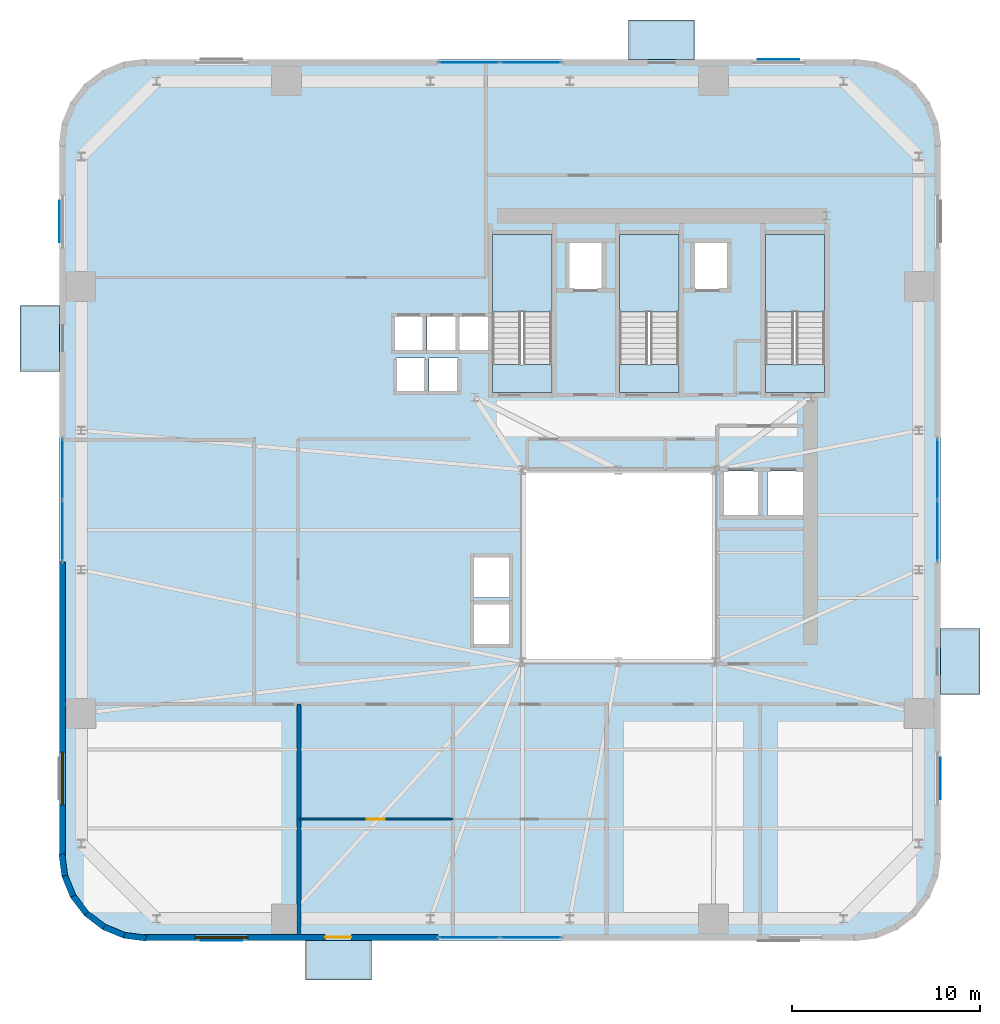
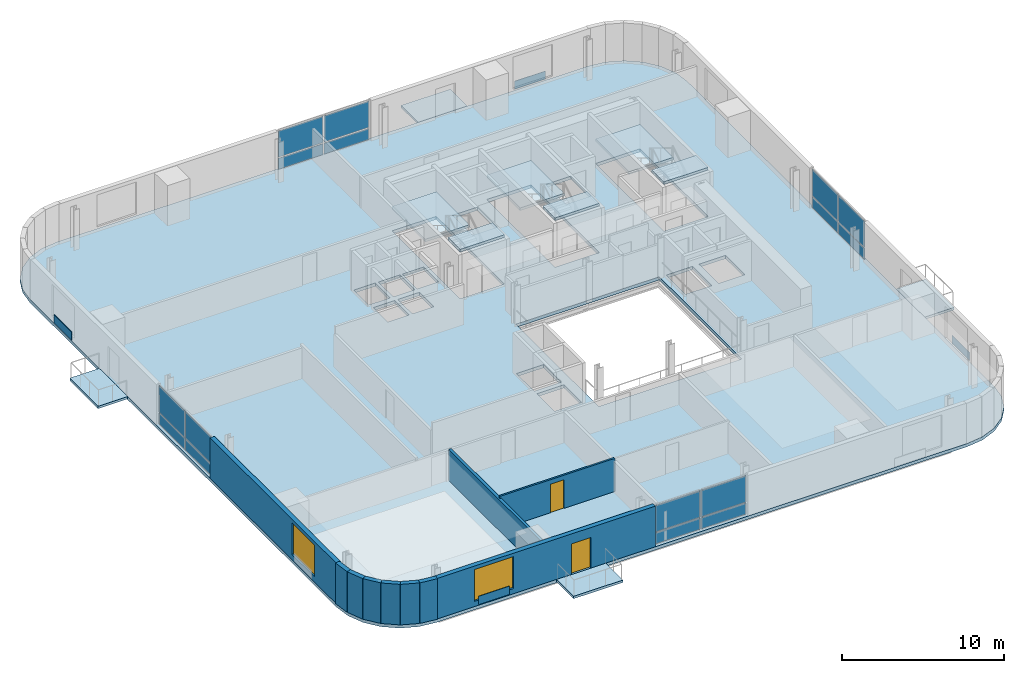
# One storey, part 5 of 14: 20 plates, 11 slabs, 10 walls, 2 doors, 2 windows, 4 openings, 7 elements without a shape of their own.
"""IFC4 building model written with IfcOpenShell, lengths in metres."""

from ifc_helpers import new_model, si_unit, direction, frame, frame_2d, origin, origin_2d, place, context, subcontext, project, spatial, polyline, rectangle, outline, extrude, source, transform, mapped, material, layer, layer_set, type_object, element, fill, aggregate, save


model = new_model("IFC4")

# Units and contexts
model_context = context("Model", 3, precision=1e-05, world=origin(), true_north=direction((0.0, 1.0)))
body_context = subcontext(model_context, "Body", "Model", "MODEL_VIEW")
ifc_project = project(units=[si_unit("LENGTHUNIT", "METRE"), si_unit("AREAUNIT", "SQUARE_METRE"), si_unit("VOLUMEUNIT", "CUBIC_METRE"), si_unit("PLANEANGLEUNIT", "RADIAN"), si_unit("MASSUNIT", "GRAM", prefix="KILO")], contexts=[model_context])

# Site, building, storey
site_placement = place(None, origin())
site = spatial("IfcSite", under=ifc_project, at=site_placement, CompositionType="ELEMENT")
building_placement = place(site_placement, origin())
building = spatial("IfcBuilding", under=site, at=building_placement, Name="Vardaveli Station Tower", CompositionType="ELEMENT")
storey_placement = place(building_placement, frame((0.0, 0.0, 163.10009765625)))
storey = spatial("IfcBuildingStorey", under=building, at=storey_placement, Name="L42", CompositionType="ELEMENT", Elevation=163.10009765625)

# Stair, slabs
ifc_material_1 = material(Name="Concrete C40/50", Category="concrete")
stair_type = type_object("IfcStairType", Name="STR-CORE-1500", PredefinedType="HALF_TURN_STAIR", material=ifc_material_1)
stair_1_placement = place(storey_placement, origin())
stair_1 = element("IfcStair", 1, at=stair_1_placement, inside=storey, type_object=stair_type, Name="L42 ST-1", PredefinedType="HALF_TURN_STAIR")
ifc_layer_1 = layer(ifc_material_1, 0.199951171875, Name="Concrete C40/50")
ifc_layer_set_1 = layer_set([ifc_layer_1], Name="Concrete C40/50")
slab_type_1 = type_object("IfcSlabType", Name="SLB-LAND-200", PredefinedType="LANDING", material=ifc_layer_set_1)
slab_1_placement = place(storey_placement, frame((0.0, 0.0, 1.64990234375)))
slab_1 = element("IfcSlab", 2, at=slab_1_placement, type_object=slab_type_1, Name="ST-1 landing 1", PredefinedType="LANDING", context=body_context, shape_type="SweptSolid", body=[
    extrude(outline(polyline([(32.75, 35.199951171875), (32.75, 39.300048828125), (29.60009765625, 39.300048828125), (29.60009765625, 35.199951171875), (32.75, 35.199951171875)])), origin(), (0.0, 0.0, 1.0), 0.199951171875),
])
slab_2_placement = place(storey_placement, frame((0.0, 0.0, 3.5)))
slab_2 = element("IfcSlab", 3, at=slab_2_placement, type_object=slab_type_1, Name="ST-1 landing 2", PredefinedType="LANDING", context=body_context, shape_type="SweptSolid", body=[
    extrude(outline(polyline([(32.75, 30.89990234375), (32.75, 32.39990234375), (29.60009765625, 32.39990234375), (29.60009765625, 30.89990234375), (32.75, 30.89990234375)])), origin(), (0.0, 0.0, 1.0), 0.199951171875),
])
aggregate(stair_1, [slab_1, slab_2])

stair_2_placement = place(storey_placement, origin())
stair_2 = element("IfcStair", 4, at=stair_2_placement, inside=storey, type_object=stair_type, Name="L42 ST-2", PredefinedType="HALF_TURN_STAIR")
slab_3_placement = place(storey_placement, frame((0.0, 0.0, 1.64990234375)))
slab_3 = element("IfcSlab", 5, at=slab_3_placement, type_object=slab_type_1, Name="ST-2 landing 1", PredefinedType="LANDING", context=body_context, shape_type="SweptSolid", body=[
    extrude(outline(polyline([(39.5, 35.199951171875), (39.5, 39.300048828125), (36.35009765625, 39.300048828125), (36.35009765625, 35.199951171875), (39.5, 35.199951171875)])), origin(), (0.0, 0.0, 1.0), 0.199951171875),
])
slab_4_placement = place(storey_placement, frame((0.0, 0.0, 3.5)))
slab_4 = element("IfcSlab", 6, at=slab_4_placement, type_object=slab_type_1, Name="ST-2 landing 2", PredefinedType="LANDING", context=body_context, shape_type="SweptSolid", body=[
    extrude(outline(polyline([(39.5, 30.89990234375), (39.5, 32.39990234375), (36.35009765625, 32.39990234375), (36.35009765625, 30.89990234375), (39.5, 30.89990234375)])), origin(), (0.0, 0.0, 1.0), 0.199951171875),
])
aggregate(stair_2, [slab_3, slab_4])

stair_3_placement = place(storey_placement, origin())
stair_3 = element("IfcStair", 7, at=stair_3_placement, inside=storey, type_object=stair_type, Name="L42 ST-3", PredefinedType="HALF_TURN_STAIR")
slab_5_placement = place(storey_placement, frame((0.0, 0.0, 1.64990234375)))
slab_5 = element("IfcSlab", 8, at=slab_5_placement, type_object=slab_type_1, Name="ST-3 landing 1", PredefinedType="LANDING", context=body_context, shape_type="SweptSolid", body=[
    extrude(outline(polyline([(47.25, 35.199951171875), (47.25, 39.300048828125), (44.10009765625, 39.300048828125), (44.10009765625, 35.199951171875), (47.25, 35.199951171875)])), origin(), (0.0, 0.0, 1.0), 0.199951171875),
])
slab_6_placement = place(storey_placement, frame((0.0, 0.0, 3.5)))
slab_6 = element("IfcSlab", 9, at=slab_6_placement, type_object=slab_type_1, Name="ST-3 landing 2", PredefinedType="LANDING", context=body_context, shape_type="SweptSolid", body=[
    extrude(outline(polyline([(47.25, 30.89990234375), (47.25, 32.39990234375), (44.10009765625, 32.39990234375), (44.10009765625, 30.89990234375), (47.25, 30.89990234375)])), origin(), (0.0, 0.0, 1.0), 0.199951171875),
])
aggregate(stair_3, [slab_5, slab_6])

# Slabs
ifc_material_2 = material(Name="Precast concrete C45/55", Category="concrete")
ifc_layer_2 = layer(ifc_material_2, 0.179931640625, Name="Precast concrete C45/55")
ifc_layer_set_2 = layer_set([ifc_layer_2], Name="Precast concrete C45/55")
slab_type_2 = type_object("IfcSlabType", Name="SLB-LOGGIA-180", PredefinedType="FLOOR", material=ifc_layer_set_2)
slab_7_placement = place(storey_placement, frame((0.0, 0.0, -0.18017578125)))
element("IfcSlab", 10, at=slab_7_placement, inside=storey, type_object=slab_type_2, Name="LOG-L42-S", PredefinedType="FLOOR", context=body_context, shape_type="SweptSolid", body=[
    extrude(outline(polyline([(19.660400390625, -0.300048828125), (23.160400390625, -0.300048828125), (23.160400390625, 1.800048828125), (19.660400390625, 1.800048828125), (19.660400390625, -0.300048828125)])), origin(), (0.0, 0.0, 1.0), 0.18017578125),
])
slab_8_placement = place(storey_placement, frame((0.0, 0.0, -0.18017578125)))
element("IfcSlab", 11, at=slab_8_placement, inside=storey, type_object=slab_type_2, Name="LOG-L42-N", PredefinedType="FLOOR", context=body_context, shape_type="SweptSolid", body=[
    extrude(outline(polyline([(36.839599609375, 48.60009765625), (40.339599609375, 48.60009765625), (40.339599609375, 50.699951171875), (36.839599609375, 50.699951171875), (36.839599609375, 48.60009765625)])), origin(), (0.0, 0.0, 1.0), 0.18017578125),
])
slab_9_placement = place(storey_placement, frame((0.0, 0.0, -0.18017578125)))
element("IfcSlab", 12, at=slab_9_placement, inside=storey, type_object=slab_type_2, Name="LOG-L42-W", PredefinedType="FLOOR", context=body_context, shape_type="SweptSolid", body=[
    extrude(outline(polyline([(4.5, 32.03955078125), (6.60009765625, 32.03955078125), (6.60009765625, 35.53955078125), (4.5, 35.53955078125), (4.5, 32.03955078125)])), origin(), (0.0, 0.0, 1.0), 0.18017578125),
])
slab_10_placement = place(storey_placement, frame((0.0, 0.0, -0.18017578125)))
element("IfcSlab", 13, at=slab_10_placement, inside=storey, type_object=slab_type_2, Name="LOG-L42-E", PredefinedType="FLOOR", context=body_context, shape_type="SweptSolid", body=[
    extrude(outline(polyline([(53.39990234375, 14.8603515625), (55.5, 14.8603515625), (55.5, 18.3603515625), (53.39990234375, 18.3603515625), (53.39990234375, 14.8603515625)])), origin(), (0.0, 0.0, 1.0), 0.18017578125),
])
ifc_layer_3 = layer(ifc_material_1, 0.239990234375, Name="Concrete C40/50")
ifc_layer_set_3 = layer_set([ifc_layer_3], Name="Concrete C40/50")
slab_type_3 = type_object("IfcSlabType", Name="SLB-TOW-240", PredefinedType="FLOOR", material=ifc_layer_set_3)
slab_11_placement = place(storey_placement, frame((0.0, 0.0, -0.239990234375)))
element("IfcSlab", 14, at=slab_11_placement, inside=storey, type_object=slab_type_3, Name="SLB-L42-MAIN", PredefinedType="FLOOR", context=body_context, shape_type="SweptSolid", body=[
    extrude(outline(polyline([(6.60009765625, 6.300048828125), (6.75341796875, 5.13525390625), (7.202880859375, 4.050048828125), (7.91796875, 3.117919921875), (8.85009765625, 2.40283203125), (9.935302734375, 1.953369140625), (11.10009765625, 1.800048828125), (48.89990234375, 1.800048828125), (50.064697265625, 1.953369140625), (51.14990234375, 2.40283203125), (52.08203125, 3.117919921875), (52.797119140625, 4.050048828125), (53.24658203125, 5.13525390625), (53.39990234375, 6.300048828125), (53.39990234375, 44.10009765625), (53.24658203125, 45.2646484375), (52.797119140625, 46.35009765625), (52.08203125, 47.281982421875), (51.14990234375, 47.9970703125), (50.064697265625, 48.44677734375), (48.89990234375, 48.60009765625), (11.10009765625, 48.60009765625), (9.935302734375, 48.44677734375), (8.85009765625, 47.9970703125), (7.91796875, 47.281982421875), (7.202880859375, 46.35009765625), (6.75341796875, 45.2646484375), (6.60009765625, 44.10009765625), (6.60009765625, 6.300048828125)]), holes=[polyline([(31.199951171875, 16.60009765625), (41.39990234375, 16.60009765625), (41.39990234375, 26.800048828125), (31.199951171875, 26.800048828125), (31.199951171875, 16.60009765625)]), polyline([(32.75, 30.89990234375), (32.75, 39.300048828125), (29.60009765625, 39.300048828125), (29.60009765625, 30.89990234375), (32.75, 30.89990234375)]), polyline([(39.5, 30.89990234375), (39.5, 39.300048828125), (36.35009765625, 39.300048828125), (36.35009765625, 30.89990234375), (39.5, 30.89990234375)]), polyline([(47.25, 30.89990234375), (47.25, 39.300048828125), (44.10009765625, 39.300048828125), (44.10009765625, 30.89990234375), (47.25, 30.89990234375)]), polyline([(24.385009765625, 33.135009765625), (25.9150390625, 33.135009765625), (25.9150390625, 34.965087890625), (24.385009765625, 34.965087890625), (24.385009765625, 33.135009765625)]), polyline([(26.135009765625, 33.135009765625), (27.6650390625, 33.135009765625), (27.6650390625, 34.965087890625), (26.135009765625, 34.965087890625), (26.135009765625, 33.135009765625)]), polyline([(27.8349609375, 33.135009765625), (29.364990234375, 33.135009765625), (29.364990234375, 34.965087890625), (27.8349609375, 34.965087890625), (27.8349609375, 33.135009765625)]), polyline([(33.659912109375, 36.409912109375), (35.43994140625, 36.409912109375), (35.43994140625, 38.889892578125), (33.659912109375, 38.889892578125), (33.659912109375, 36.409912109375)]), polyline([(40.31005859375, 36.409912109375), (42.090087890625, 36.409912109375), (42.090087890625, 38.889892578125), (40.31005859375, 38.889892578125), (40.31005859375, 36.409912109375)]), polyline([(24.485107421875, 30.9599609375), (26.014892578125, 30.9599609375), (26.014892578125, 32.739990234375), (24.485107421875, 32.739990234375), (24.485107421875, 30.9599609375)]), polyline([(26.235107421875, 30.9599609375), (27.764892578125, 30.9599609375), (27.764892578125, 32.739990234375), (26.235107421875, 32.739990234375), (26.235107421875, 30.9599609375)]), polyline([(28.5849609375, 17.510009765625), (30.514892578125, 17.510009765625), (30.514892578125, 19.68994140625), (28.5849609375, 19.68994140625), (28.5849609375, 17.510009765625)]), polyline([(28.5849609375, 20.010009765625), (30.514892578125, 20.010009765625), (30.514892578125, 22.18994140625), (28.5849609375, 22.18994140625), (28.5849609375, 20.010009765625)]), polyline([(41.860107421875, 24.360107421875), (43.739990234375, 24.360107421875), (43.739990234375, 26.739990234375), (41.860107421875, 26.739990234375), (41.860107421875, 24.360107421875)]), polyline([(44.2099609375, 24.360107421875), (46.090087890625, 24.360107421875), (46.090087890625, 26.739990234375), (44.2099609375, 26.739990234375), (44.2099609375, 24.360107421875)])]), origin(), (0.0, 0.0, 1.0), 0.239990234375),
])

# Curtain wall, plates
ifc_material_3 = material(Name="Travertine stone and solar-control glass", Category="masonry")
curtain_wall_type = type_object("IfcCurtainWallType", Name="CW-SYS-2", PredefinedType="NOTDEFINED", material=ifc_material_3)
curtain_wall_1_placement = place(storey_placement, origin())
curtain_wall_1 = element("IfcCurtainWall", 15, at=curtain_wall_1_placement, inside=storey, type_object=curtain_wall_type, Name="CW-L42-S", PredefinedType="NOTDEFINED")
ifc_material_4 = material(Name="Double-glazed low-E solar-control glass", Category="glass")
ifc_layer_4 = layer(ifc_material_4, 0.035888671875, Name="Double-glazed low-E solar-control glass")
ifc_layer_set_4 = layer_set([ifc_layer_4], Name="Double-glazed low-E solar-control glass")
plate_type_1 = type_object("IfcPlateType", Name="CW-SYS-2-PAN", PredefinedType="CURTAIN_PANEL", material=ifc_layer_set_4)
shared_shape_1 = source(origin(), body_context, "Body", "SweptSolid", [
    extrude(rectangle(XDim=3.172607421875, YDim=0.035888671875, at=origin_2d()), origin(), (0.0, 0.0, 1.0), 0.822509765625),
])
plate_1_placement = place(storey_placement, frame((28.371337890625, 1.9599609375, 0.0849609375), z_axis=(0.0, 0.0, 1.0), x_axis=(1.0, 0.0, 0.0)))
plate_1 = element("IfcPlate", 16, at=plate_1_placement, type_object=plate_type_1, Name="CW-2 panel 1.1", PredefinedType="CURTAIN_PANEL", context=body_context, shape_type="MappedRepresentation", body=[
    mapped(shared_shape_1, transform((0.0, 0.0, 0.0), scale=1.0)),
])
plate_2_placement = place(storey_placement, frame((31.628662109375, 1.9599609375, 0.0849609375), z_axis=(0.0, 0.0, 1.0), x_axis=(1.0, 0.0, 0.0)))
plate_2 = element("IfcPlate", 17, at=plate_2_placement, type_object=plate_type_1, Name="CW-2 panel 2.1", PredefinedType="CURTAIN_PANEL", context=body_context, shape_type="MappedRepresentation", body=[
    mapped(shared_shape_1, transform((0.0, 0.0, 0.0), scale=1.0)),
])

curtain_wall_2_placement = place(storey_placement, origin())
curtain_wall_2 = element("IfcCurtainWall", 18, at=curtain_wall_2_placement, inside=storey, type_object=curtain_wall_type, Name="CW-L42-N", PredefinedType="NOTDEFINED")
plate_3_placement = place(storey_placement, frame((31.628662109375, 48.43994140625, 0.0849609375), z_axis=(0.0, 0.0, 1.0), x_axis=(-1.0, 0.0, 0.0)))
plate_3 = element("IfcPlate", 19, at=plate_3_placement, type_object=plate_type_1, Name="CW-2 panel 1.1", PredefinedType="CURTAIN_PANEL", context=body_context, shape_type="MappedRepresentation", body=[
    mapped(shared_shape_1, transform((0.0, 0.0, 0.0), scale=1.0)),
])
plate_4_placement = place(storey_placement, frame((28.371337890625, 48.43994140625, 0.0849609375), z_axis=(0.0, 0.0, 1.0), x_axis=(-1.0, 0.0, 0.0)))
plate_4 = element("IfcPlate", 20, at=plate_4_placement, type_object=plate_type_1, Name="CW-2 panel 2.1", PredefinedType="CURTAIN_PANEL", context=body_context, shape_type="MappedRepresentation", body=[
    mapped(shared_shape_1, transform((0.0, 0.0, 0.0), scale=1.0)),
])

curtain_wall_3_placement = place(storey_placement, origin())
curtain_wall_3 = element("IfcCurtainWall", 21, at=curtain_wall_3_placement, inside=storey, type_object=curtain_wall_type, Name="CW-L42-W", PredefinedType="NOTDEFINED")
plate_5_placement = place(storey_placement, frame((6.760009765625, 26.828857421875, 0.0849609375), z_axis=(0.0, 0.0, 1.0), x_axis=(0.0, -1.0, 0.0)))
plate_5 = element("IfcPlate", 22, at=plate_5_placement, type_object=plate_type_1, Name="CW-2 panel 1.1", PredefinedType="CURTAIN_PANEL", context=body_context, shape_type="MappedRepresentation", body=[
    mapped(shared_shape_1, transform((0.0, 0.0, 0.0), scale=1.0)),
])
plate_6_placement = place(storey_placement, frame((6.760009765625, 23.5712890625, 0.0849609375), z_axis=(0.0, 0.0, 1.0), x_axis=(0.0, -1.0, 0.0)))
plate_6 = element("IfcPlate", 23, at=plate_6_placement, type_object=plate_type_1, Name="CW-2 panel 2.1", PredefinedType="CURTAIN_PANEL", context=body_context, shape_type="MappedRepresentation", body=[
    mapped(shared_shape_1, transform((0.0, 0.0, 0.0), scale=1.0)),
])

curtain_wall_4_placement = place(storey_placement, origin())
curtain_wall_4 = element("IfcCurtainWall", 24, at=curtain_wall_4_placement, inside=storey, type_object=curtain_wall_type, Name="CW-L42-E", PredefinedType="NOTDEFINED")
plate_7_placement = place(storey_placement, frame((53.239990234375, 23.5712890625, 0.0849609375), z_axis=(0.0, 0.0, 1.0), x_axis=(0.0, 1.0, 0.0)))
plate_7 = element("IfcPlate", 25, at=plate_7_placement, type_object=plate_type_1, Name="CW-2 panel 1.1", PredefinedType="CURTAIN_PANEL", context=body_context, shape_type="MappedRepresentation", body=[
    mapped(shared_shape_1, transform((0.0, 0.0, 0.0), scale=1.0)),
])
plate_8_placement = place(storey_placement, frame((53.239990234375, 26.828857421875, 0.0849609375), z_axis=(0.0, 0.0, 1.0), x_axis=(0.0, 1.0, 0.0)))
plate_8 = element("IfcPlate", 26, at=plate_8_placement, type_object=plate_type_1, Name="CW-2 panel 2.1", PredefinedType="CURTAIN_PANEL", context=body_context, shape_type="MappedRepresentation", body=[
    mapped(shared_shape_1, transform((0.0, 0.0, 0.0), scale=1.0)),
])

# Plates
ifc_material_5 = material(Name="Honed Caucasian travertine stone", Category="masonry")
ifc_layer_5 = layer(ifc_material_5, 0.034912109375, Name="Honed Caucasian travertine stone")
ifc_layer_set_5 = layer_set([ifc_layer_5], Name="Honed Caucasian travertine stone")
plate_type_2 = type_object("IfcPlateType", Name="PLT-TRAV-35", PredefinedType="SHEET", material=ifc_layer_set_5)
shared_shape_2 = source(origin(), body_context, "Body", "SweptSolid", [
    extrude(rectangle(XDim=2.199951171875, YDim=0.034912109375, at=origin_2d()), origin(), (0.0, 0.0, 1.0), 0.6201171875),
])
for number, where, z_axis, x_axis, name in (
    (27, (15.205078125, 1.79052734375, 0.06982421875), (0.0, 0.0, 1.0), (1.0, 0.0, 0.0), "PLT-TR-L42-S"),
    (28, (44.794921875, 48.609619140625, 0.06982421875), (0.0, 0.0, 1.0), (1.0, 0.0, 0.0), "PLT-TR-L42-N"),
    (29, (6.590576171875, 39.9951171875, 0.06982421875), (0.0, 0.0, 1.0), (0.0, 1.0, 0.0), "PLT-TR-L42-W"),
    (30, (53.409423828125, 10.405029296875, 0.06982421875), (0.0, 0.0, 1.0), (0.0, 1.0, 0.0), "PLT-TR-L42-E"),
):
    element("IfcPlate", number, at=place(storey_placement, frame(where, z_axis=z_axis, x_axis=x_axis)), inside=storey, type_object=plate_type_2, Name=name, PredefinedType="SHEET", context=body_context, shape_type="MappedRepresentation", body=[
        mapped(shared_shape_2, transform((0.0, 0.0, 0.0), scale=1.0)),
    ])

# Plate
shared_shape_3 = source(origin(), body_context, "Body", "SweptSolid", [
    extrude(rectangle(XDim=3.172607421875, YDim=0.035888671875, at=origin_2d()), origin(), (0.0, 0.0, 1.0), 1.972412109375),
])
plate_9_placement = place(storey_placement, frame((28.371337890625, 1.9599609375, 0.99267578125), z_axis=(0.0, 0.0, 1.0), x_axis=(1.0, 0.0, 0.0)))
plate_9 = element("IfcPlate", 31, at=plate_9_placement, type_object=plate_type_1, Name="CW-2 panel 1.2", PredefinedType="CURTAIN_PANEL", context=body_context, shape_type="MappedRepresentation", body=[
    mapped(shared_shape_3, transform((0.0, 0.0, 0.0), scale=1.0)),
])

plate_10_placement = place(storey_placement, frame((31.628662109375, 1.9599609375, 0.99267578125), z_axis=(0.0, 0.0, 1.0), x_axis=(1.0, 0.0, 0.0)))
plate_10 = element("IfcPlate", 32, at=plate_10_placement, type_object=plate_type_1, Name="CW-2 panel 2.2", PredefinedType="CURTAIN_PANEL", context=body_context, shape_type="MappedRepresentation", body=[
    mapped(shared_shape_3, transform((0.0, 0.0, 0.0), scale=1.0)),
])

aggregate(curtain_wall_1, [plate_1, plate_9, plate_2, plate_10])

plate_11_placement = place(storey_placement, frame((31.628662109375, 48.43994140625, 0.99267578125), z_axis=(0.0, 0.0, 1.0), x_axis=(-1.0, 0.0, 0.0)))
plate_11 = element("IfcPlate", 33, at=plate_11_placement, type_object=plate_type_1, Name="CW-2 panel 1.2", PredefinedType="CURTAIN_PANEL", context=body_context, shape_type="MappedRepresentation", body=[
    mapped(shared_shape_3, transform((0.0, 0.0, 0.0), scale=1.0)),
])

plate_12_placement = place(storey_placement, frame((28.371337890625, 48.43994140625, 0.99267578125), z_axis=(0.0, 0.0, 1.0), x_axis=(-1.0, 0.0, 0.0)))
plate_12 = element("IfcPlate", 34, at=plate_12_placement, type_object=plate_type_1, Name="CW-2 panel 2.2", PredefinedType="CURTAIN_PANEL", context=body_context, shape_type="MappedRepresentation", body=[
    mapped(shared_shape_3, transform((0.0, 0.0, 0.0), scale=1.0)),
])

aggregate(curtain_wall_2, [plate_3, plate_11, plate_4, plate_12])

plate_13_placement = place(storey_placement, frame((6.760009765625, 26.828857421875, 0.99267578125), z_axis=(0.0, 0.0, 1.0), x_axis=(0.0, -1.0, 0.0)))
plate_13 = element("IfcPlate", 35, at=plate_13_placement, type_object=plate_type_1, Name="CW-2 panel 1.2", PredefinedType="CURTAIN_PANEL", context=body_context, shape_type="MappedRepresentation", body=[
    mapped(shared_shape_3, transform((0.0, 0.0, 0.0), scale=1.0)),
])

plate_14_placement = place(storey_placement, frame((6.760009765625, 23.5712890625, 0.99267578125), z_axis=(0.0, 0.0, 1.0), x_axis=(0.0, -1.0, 0.0)))
plate_14 = element("IfcPlate", 36, at=plate_14_placement, type_object=plate_type_1, Name="CW-2 panel 2.2", PredefinedType="CURTAIN_PANEL", context=body_context, shape_type="MappedRepresentation", body=[
    mapped(shared_shape_3, transform((0.0, 0.0, 0.0), scale=1.0)),
])

aggregate(curtain_wall_3, [plate_5, plate_13, plate_6, plate_14])

plate_15_placement = place(storey_placement, frame((53.239990234375, 23.5712890625, 0.99267578125), z_axis=(0.0, 0.0, 1.0), x_axis=(0.0, 1.0, 0.0)))
plate_15 = element("IfcPlate", 37, at=plate_15_placement, type_object=plate_type_1, Name="CW-2 panel 1.2", PredefinedType="CURTAIN_PANEL", context=body_context, shape_type="MappedRepresentation", body=[
    mapped(shared_shape_3, transform((0.0, 0.0, 0.0), scale=1.0)),
])

plate_16_placement = place(storey_placement, frame((53.239990234375, 26.828857421875, 0.99267578125), z_axis=(0.0, 0.0, 1.0), x_axis=(0.0, 1.0, 0.0)))
plate_16 = element("IfcPlate", 38, at=plate_16_placement, type_object=plate_type_1, Name="CW-2 panel 2.2", PredefinedType="CURTAIN_PANEL", context=body_context, shape_type="MappedRepresentation", body=[
    mapped(shared_shape_3, transform((0.0, 0.0, 0.0), scale=1.0)),
])

aggregate(curtain_wall_4, [plate_7, plate_15, plate_8, plate_16])

# Wall, openings, door, window
ifc_layer_6 = layer(ifc_material_2, 0.320068359375, Name="Precast concrete C45/55")
ifc_layer_set_6 = layer_set([ifc_layer_6], Name="Precast concrete C45/55")
wall_type_1 = type_object("IfcWallType", Name="WAL-EXT-STONE-320", PredefinedType="SOLIDWALL", material=ifc_layer_set_6)
shared_shape_4 = source(origin(), body_context, "Body", "SweptSolid", [
    extrude(rectangle(XDim=15.599853515625, YDim=0.320068359375, at=frame_2d((7.7998046875, 0.0))), origin(), (0.0, 0.0, 1.0), 3.0498046875),
])
wall_1_placement = place(storey_placement, frame((11.10009765625, 1.9599609375, 0.0), z_axis=(0.0, 0.0, 1.0), x_axis=(1.0, 0.0, 0.0)))
wall_1 = element("IfcWall", 39, at=wall_1_placement, inside=storey, type_object=wall_type_1, Name="EW-L42-S1", PredefinedType="SOLIDWALL", context=body_context, shape_type="MappedRepresentation", body=[
    mapped(shared_shape_4, transform((0.0, 0.0, 0.0), scale=1.0)),
])
shared_shape_5 = source(origin(), body_context, "Body", "SweptSolid", [
    extrude(rectangle(XDim=1.39990234375, YDim=2.300048828125, at=frame_2d((0.699951171875, 1.14990234375))), frame((0.0, 0.169921875, 0.0), z_axis=(0.0, -1.0, 0.0), x_axis=(1.0, 0.0, 0.0)), (0.0, 0.0, 1.0), 0.340087890625),
])
opening_1_placement = place(wall_1_placement, frame((9.6103515625, 0.0, 0.0)))
opening_1 = element("IfcOpeningElement", 40, at=opening_1_placement, cuts=wall_1, Name="Opening D-09", PredefinedType="OPENING", context=body_context, shape_type="MappedRepresentation", body=[
    mapped(shared_shape_5, transform((0.0, 0.0, 0.0), scale=1.0)),
])
shared_shape_6 = source(origin(), body_context, "Body", "SweptSolid", [
    extrude(rectangle(XDim=2.800048828125, YDim=2.39990234375, at=frame_2d((1.39990234375, 1.199951171875))), frame((0.0, 0.169921875, 0.0), z_axis=(0.0, -1.0, 0.0), x_axis=(1.0, 0.0, 0.0)), (0.0, 0.0, 1.0), 0.340087890625),
])
opening_2_placement = place(wall_1_placement, frame((2.705078125, 0.0, 0.389892578125)))
opening_2 = element("IfcOpeningElement", 41, at=opening_2_placement, cuts=wall_1, Name="Opening W-04", PredefinedType="OPENING", context=body_context, shape_type="MappedRepresentation", body=[
    mapped(shared_shape_6, transform((0.0, 0.0, 0.0), scale=1.0)),
])
ifc_material_6 = material(Name="Thermally broken aluminium glass", Category="aluminium")
door_type_1 = type_object("IfcDoorType", Name="DR-LOG-1400x2300", OperationType="DOUBLE_DOOR_SLIDING", PredefinedType="DOOR", material=ifc_material_6)
shared_shape_7 = source(origin(), body_context, "Body", "SweptSolid", [
    extrude(rectangle(XDim=1.39990234375, YDim=2.300048828125, at=frame_2d((0.699951171875, 1.14990234375))), frame((0.0, 0.02490234375, 0.0), z_axis=(0.0, -1.0, 0.0), x_axis=(1.0, 0.0, 0.0)), (0.0, 0.0, 1.0), 0.050048828125),
])
door_1_placement = place(opening_1_placement, frame((1.39990234375, 0.0, 0.0), z_axis=(0.0, 0.0, 1.0), x_axis=(-1.0, 0.0, 0.0)))
door_1 = element("IfcDoor", 42, at=door_1_placement, inside=storey, type_object=door_type_1, Name="DLG-L42-S", OperationType="DOUBLE_DOOR_SLIDING", OverallHeight=2.300048828125, OverallWidth=1.39990234375, PredefinedType="DOOR", context=body_context, shape_type="MappedRepresentation", body=[
    mapped(shared_shape_7, transform((0.0, 0.0, 0.0), scale=1.0)),
])
fill(opening_1, door_1)
ifc_material_7 = material(Name="Low-E solar-control glass", Category="glass")
window_type = type_object("IfcWindowType", Name="WIN-SUITE-2800x2400", PartitioningType="SINGLE_PANEL", PredefinedType="WINDOW", material=ifc_material_7)
shared_shape_8 = source(origin(), body_context, "Body", "SweptSolid", [
    extrude(rectangle(XDim=2.800048828125, YDim=2.39990234375, at=frame_2d((1.39990234375, 1.199951171875))), frame((0.0, 0.030029296875, 0.0), z_axis=(0.0, -1.0, 0.0), x_axis=(1.0, 0.0, 0.0)), (0.0, 0.0, 1.0), 0.06005859375),
])
window_1_placement = place(opening_2_placement, origin())
window_1 = element("IfcWindow", 43, at=window_1_placement, inside=storey, type_object=window_type, Name="WN-L42-S1", OverallHeight=2.39990234375, OverallWidth=2.800048828125, PartitioningType="SINGLE_PANEL", PredefinedType="WINDOW", context=body_context, shape_type="MappedRepresentation", body=[
    mapped(shared_shape_8, transform((0.0, 0.0, 0.0), scale=1.0)),
])
fill(opening_2, window_1)

# Wall, opening, window
wall_2_placement = place(storey_placement, frame((6.760009765625, 21.89990234375, 0.0), z_axis=(0.0, 0.0, 1.0), x_axis=(0.0, -1.0, 0.0)))
wall_2 = element("IfcWall", 44, at=wall_2_placement, inside=storey, type_object=wall_type_1, Name="EW-L42-W2", PredefinedType="SOLIDWALL", context=body_context, shape_type="MappedRepresentation", body=[
    mapped(shared_shape_4, transform((0.0, 0.0, 0.0), scale=1.0)),
])
opening_3_placement = place(wall_2_placement, frame((10.094970703125, 0.0, 0.389892578125)))
opening_3 = element("IfcOpeningElement", 45, at=opening_3_placement, cuts=wall_2, Name="Opening W-04", PredefinedType="OPENING", context=body_context, shape_type="MappedRepresentation", body=[
    mapped(shared_shape_6, transform((0.0, 0.0, 0.0), scale=1.0)),
])
window_2_placement = place(opening_3_placement, origin())
window_2 = element("IfcWindow", 46, at=window_2_placement, inside=storey, type_object=window_type, Name="WN-L42-W2", OverallHeight=2.39990234375, OverallWidth=2.800048828125, PartitioningType="SINGLE_PANEL", PredefinedType="WINDOW", context=body_context, shape_type="MappedRepresentation", body=[
    mapped(shared_shape_8, transform((0.0, 0.0, 0.0), scale=1.0)),
])
fill(opening_3, window_2)

# Walls
shared_shape_9 = source(origin(), body_context, "Body", "SweptSolid", [
    extrude(rectangle(XDim=1.170654296875, YDim=0.320068359375, at=frame_2d((0.58544921875, 0.0))), origin(), (0.0, 0.0, 1.0), 3.0498046875),
])
wall_3_placement = place(storey_placement, frame((6.724365234375, 6.400634765625, 0.0), z_axis=(0.0, 0.0, 1.0), x_axis=(0.128269133229, -0.991739395941, 0.0)))
element("IfcWall", 47, at=wall_3_placement, inside=storey, type_object=wall_type_1, Name="EW-L42-CR1-1", PredefinedType="SOLIDWALL", context=body_context, shape_type="MappedRepresentation", body=[
    mapped(shared_shape_9, transform((0.0, 0.0, 0.0), scale=1.0)),
])
shared_shape_10 = source(origin(), body_context, "Body", "SweptSolid", [
    extrude(rectangle(XDim=1.1689453125, YDim=0.320068359375, at=frame_2d((0.58447265625, 0.0))), origin(), (0.0, 0.0, 1.0), 3.0498046875),
])
for number, where, z_axis, x_axis, name in (
    (48, (6.87451171875, 5.23974609375, 0.0), (0.0, 0.0, 1.0), (0.381127904695, -0.924522320046, 0.0), "EW-L42-CR1-2"),
    (49, (7.320068359375, 4.158935546875, 0.0), (0.0, 0.0, 1.0), (0.608387696831, -0.793639975269, 0.0), "EW-L42-CR1-3"),
):
    element("IfcWall", number, at=place(storey_placement, frame(where, z_axis=z_axis, x_axis=x_axis)), inside=storey, type_object=wall_type_1, Name=name, PredefinedType="SOLIDWALL", context=body_context, shape_type="MappedRepresentation", body=[
        mapped(shared_shape_10, transform((0.0, 0.0, 0.0), scale=1.0)),
    ])
shared_shape_11 = source(origin(), body_context, "Body", "SweptSolid", [
    extrude(rectangle(XDim=1.168701171875, YDim=0.320068359375, at=frame_2d((0.58447265625, 0.0))), origin(), (0.0, 0.0, 1.0), 3.0498046875),
])
wall_4_placement = place(storey_placement, frame((8.03125, 3.231201171875, 0.0), z_axis=(0.0, 0.0, 1.0), x_axis=(0.793663520347, -0.608356981114, 0.0)))
element("IfcWall", 50, at=wall_4_placement, inside=storey, type_object=wall_type_1, Name="EW-L42-CR1-4", PredefinedType="SOLIDWALL", context=body_context, shape_type="MappedRepresentation", body=[
    mapped(shared_shape_11, transform((0.0, 0.0, 0.0), scale=1.0)),
])
shared_shape_12 = source(origin(), body_context, "Body", "SweptSolid", [
    extrude(rectangle(XDim=1.16943359375, YDim=0.320068359375, at=frame_2d((0.584716796875, 0.0))), origin(), (0.0, 0.0, 1.0), 3.0498046875),
])
wall_5_placement = place(storey_placement, frame((8.958740234375, 2.520263671875, 0.0), z_axis=(0.0, 0.0, 1.0), x_axis=(0.924479075121, -0.381232789334, 0.0)))
element("IfcWall", 51, at=wall_5_placement, inside=storey, type_object=wall_type_1, Name="EW-L42-CR1-5", PredefinedType="SOLIDWALL", context=body_context, shape_type="MappedRepresentation", body=[
    mapped(shared_shape_12, transform((0.0, 0.0, 0.0), scale=1.0)),
])
shared_shape_13 = source(origin(), body_context, "Body", "SweptSolid", [
    extrude(rectangle(XDim=1.170166015625, YDim=0.320068359375, at=frame_2d((0.5849609375, 0.0))), origin(), (0.0, 0.0, 1.0), 3.0498046875),
])
wall_6_placement = place(storey_placement, frame((10.039794921875, 2.074462890625, 0.0), z_axis=(0.0, 0.0, 1.0), x_axis=(0.991762485493, -0.128090485085, 0.0)))
element("IfcWall", 52, at=wall_6_placement, inside=storey, type_object=wall_type_1, Name="EW-L42-CR1-6", PredefinedType="SOLIDWALL", context=body_context, shape_type="MappedRepresentation", body=[
    mapped(shared_shape_13, transform((0.0, 0.0, 0.0), scale=1.0)),
])

# Wall, opening, door
ifc_material_8 = material(Name="Gypsum board stud partition")
ifc_layer_7 = layer(ifc_material_8, 0.125, Name="Gypsum board stud partition")
ifc_layer_set_7 = layer_set([ifc_layer_7], Name="Gypsum board stud partition")
wall_type_2 = type_object("IfcWallType", Name="WAL-INT-125", PredefinedType="PARTITIONING", material=ifc_layer_set_7)
shared_shape_14 = source(origin(), body_context, "Body", "SweptSolid", [
    extrude(rectangle(XDim=8.169921875, YDim=0.125, at=frame_2d((4.0849609375, 0.0))), origin(), (0.0, 0.0, 1.0), 2.491943359375),
])
wall_7_placement = place(storey_placement, frame((19.320068359375, 8.25, 0.0), z_axis=(0.0, 0.0, 1.0), x_axis=(1.0, 0.0, 0.0)))
wall_7 = element("IfcWall", 53, at=wall_7_placement, inside=storey, type_object=wall_type_2, Name="W-L42-SCM2", PredefinedType="PARTITIONING", context=body_context, shape_type="MappedRepresentation", body=[
    mapped(shared_shape_14, transform((0.0, 0.0, 0.0), scale=1.0)),
])
shared_shape_15 = source(origin(), body_context, "Body", "SweptSolid", [
    extrude(rectangle(XDim=0.949951171875, YDim=2.14990234375, at=frame_2d((0.47509765625, 1.074951171875))), frame((0.0, 0.072509765625, 0.0), z_axis=(0.0, -1.0, 0.0), x_axis=(1.0, 0.0, 0.0)), (0.0, 0.0, 1.0), 0.14501953125),
])
opening_4_placement = place(wall_7_placement, frame((3.60498046875, 0.0, 0.0)))
opening_4 = element("IfcOpeningElement", 54, at=opening_4_placement, cuts=wall_7, Name="Opening D-11", PredefinedType="OPENING", context=body_context, shape_type="MappedRepresentation", body=[
    mapped(shared_shape_15, transform((0.0, 0.0, 0.0), scale=1.0)),
])
ifc_material_9 = material(Name="Oak veneer internal suite door")
door_type_2 = type_object("IfcDoorType", Name="DR-INT-950x2150", OperationType="NOTDEFINED", PredefinedType="DOOR", material=ifc_material_9)
shared_shape_16 = source(origin(), body_context, "Body", "SweptSolid", [
    extrude(rectangle(XDim=0.949951171875, YDim=2.14990234375, at=frame_2d((0.47509765625, 1.074951171875))), frame((0.0, 0.02490234375, 0.0), z_axis=(0.0, -1.0, 0.0), x_axis=(1.0, 0.0, 0.0)), (0.0, 0.0, 1.0), 0.050048828125),
])
door_2_placement = place(opening_4_placement, origin())
door_2 = element("IfcDoor", 55, at=door_2_placement, inside=storey, type_object=door_type_2, Name="D-L42-SCF2", OperationType="SINGLE_SWING_RIGHT", OverallHeight=2.14990234375, OverallWidth=0.949951171875, PredefinedType="DOOR", context=body_context, shape_type="MappedRepresentation", body=[
    mapped(shared_shape_16, transform((0.0, 0.0, 0.0), scale=1.0)),
])
fill(opening_4, door_2)

# Wall
ifc_material_10 = material(Name="Acoustic twin-stud gypsum partition")
ifc_layer_8 = layer(ifc_material_10, 0.199951171875, Name="Acoustic twin-stud gypsum partition")
ifc_layer_set_8 = layer_set([ifc_layer_8], Name="Acoustic twin-stud gypsum partition")
wall_type_3 = type_object("IfcWallType", Name="WAL-PARTY-200", PredefinedType="PARTITIONING", material=ifc_layer_set_8)
shared_shape_17 = source(origin(), body_context, "Body", "SweptSolid", [
    extrude(rectangle(XDim=12.22802734375, YDim=0.199951171875, at=frame_2d((6.114013671875, 0.0))), origin(), (0.0, 0.0, 1.0), 2.325927734375),
])
wall_8_placement = place(storey_placement, frame((19.320068359375, 2.1220703125, 0.0), z_axis=(0.0, 0.0, 1.0), x_axis=(0.0, 1.0, 0.0)))
element("IfcWall", 56, at=wall_8_placement, inside=storey, type_object=wall_type_3, Name="W-L42-PS1", PredefinedType="PARTITIONING", context=body_context, shape_type="MappedRepresentation", body=[
    mapped(shared_shape_17, transform((0.0, 0.0, 0.0), scale=1.0)),
])

save(model, "model.ifc")
